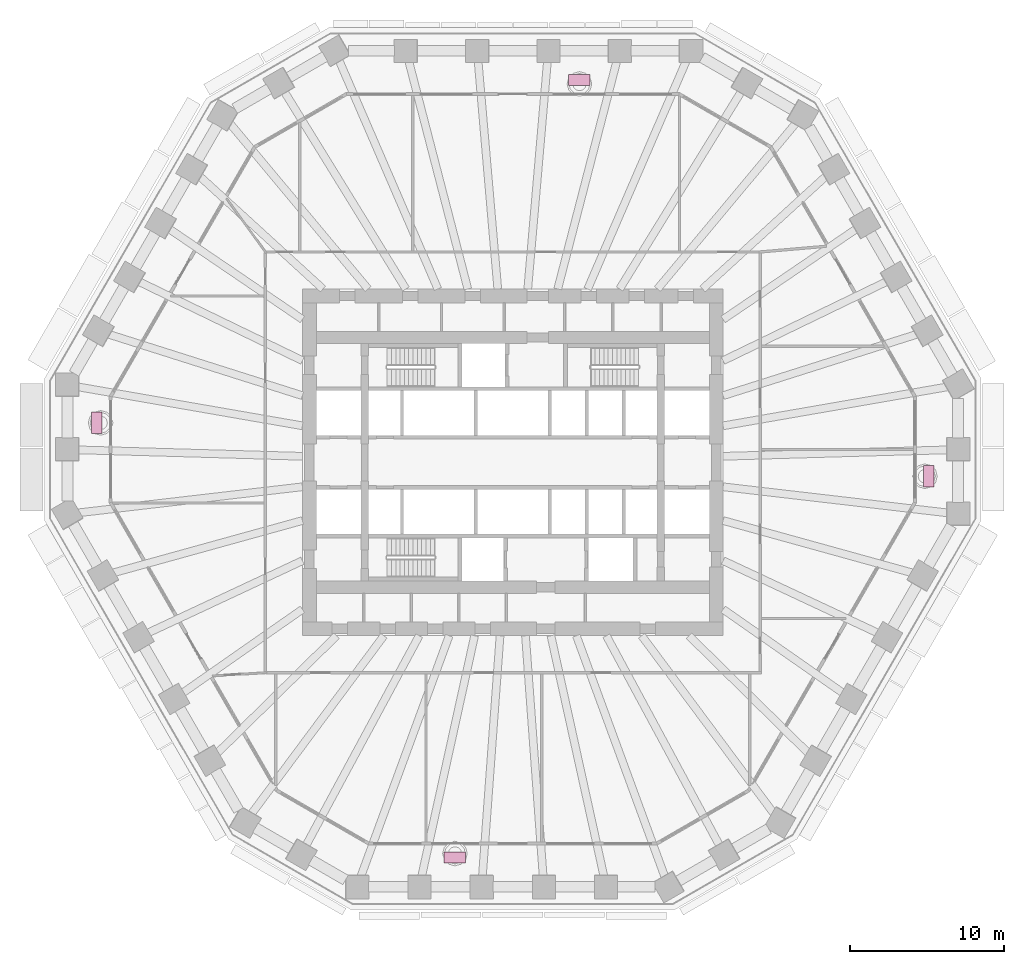
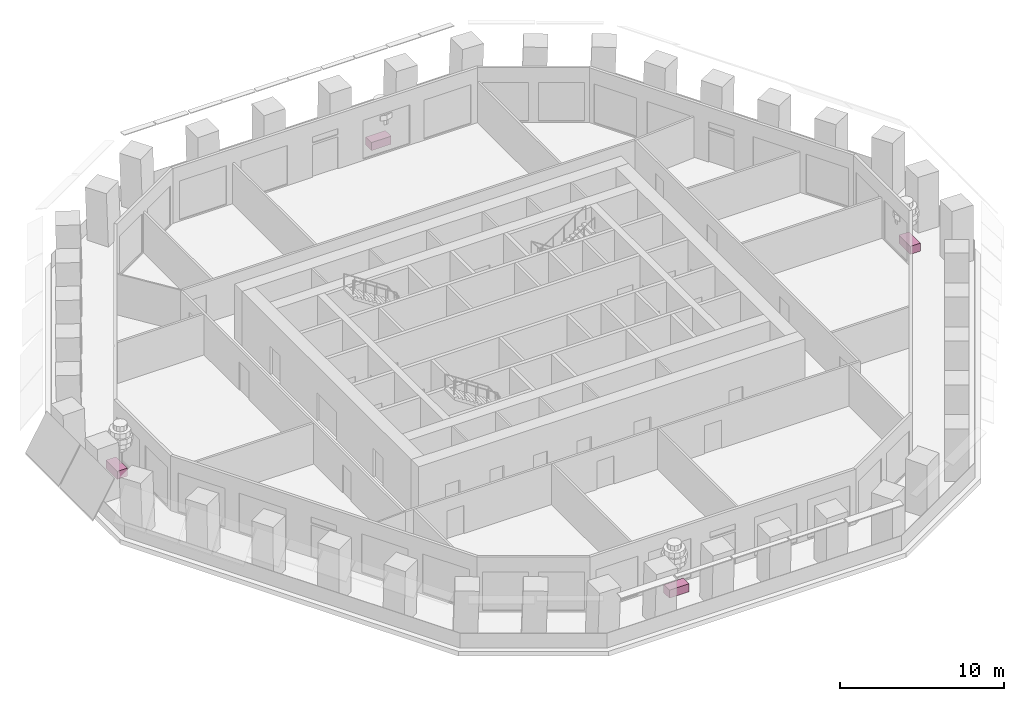
# One storey, part 11 of 12: 4 furniture elements.
"""IFC4 building model written with IfcOpenShell, lengths in metres."""

from ifc_helpers import new_model, si_unit, direction, frame, origin, origin_2d, place, context, subcontext, project, spatial, rectangle, extrude, material, type_object, element, save


model = new_model("IFC4")

# Units and contexts
model_context = context("Model", 3, precision=1e-05, world=origin(), true_north=direction((0.0, 1.0)))
body_context = subcontext(model_context, "Body", "Model", "MODEL_VIEW")
ifc_project = project(units=[si_unit("LENGTHUNIT", "METRE"), si_unit("AREAUNIT", "SQUARE_METRE"), si_unit("VOLUMEUNIT", "CUBIC_METRE"), si_unit("PLANEANGLEUNIT", "RADIAN"), si_unit("MASSUNIT", "GRAM", prefix="KILO")], contexts=[model_context])

# Site, building, storey
site_placement = place(None, origin())
site = spatial("IfcSite", under=ifc_project, at=site_placement, CompositionType="ELEMENT")
building_placement = place(site_placement, origin())
building = spatial("IfcBuilding", under=site, at=building_placement, Name="Frailejon Research Tower", CompositionType="ELEMENT")
storey_placement = place(building_placement, frame((0.0, 0.0, 41.0)))
storey = spatial("IfcBuildingStorey", under=building, at=storey_placement, Name="L09", CompositionType="ELEMENT", Elevation=41.0)

# Furniture
ifc_material = material(Name="Precast concrete C30/37 planter, terracotta", Category="masonry")
furniture_type = type_object("IfcFurnitureType", Name="Loggia planter 1400x700", AssemblyPlace="NOTDEFINED", PredefinedType="USERDEFINED", material=ifc_material)
for number, where, z_axis, x_axis, name in (
    (1, (26.99169921875, -0.90234375, 0.0), (0.0, 0.0, 1.0), (0.0, 1.0, 0.0), "Planter L09"),
    (2, (4.32568359375, 24.800048828125, 0.0), (0.0, 0.0, 1.0), (-1.0, 0.0, 0.0), "Planter L09"),
    (3, (-26.99169921875, 2.561767578125, 0.0), (0.0, 0.0, 1.0), (0.0, -1.0, 0.0), "Planter L09"),
    (4, (-3.7509765625, -25.629638671875, 0.0), (0.0, 0.0, 1.0), (1.0, 0.0, 0.0), "Planter L09"),
):
    element("IfcFurniture", number, at=place(storey_placement, frame(where, z_axis=z_axis, x_axis=x_axis)), inside=storey, type_object=furniture_type, Name=name, ObjectType="PLANTER", PredefinedType="USERDEFINED", context=body_context, shape_type="SweptSolid", body=[
        extrude(rectangle(XDim=1.39990234375, YDim=0.699951171875, at=origin_2d()), origin(), (0.0, 0.0, 1.0), 0.60009765625),
    ])

save(model, "model.ifc")
